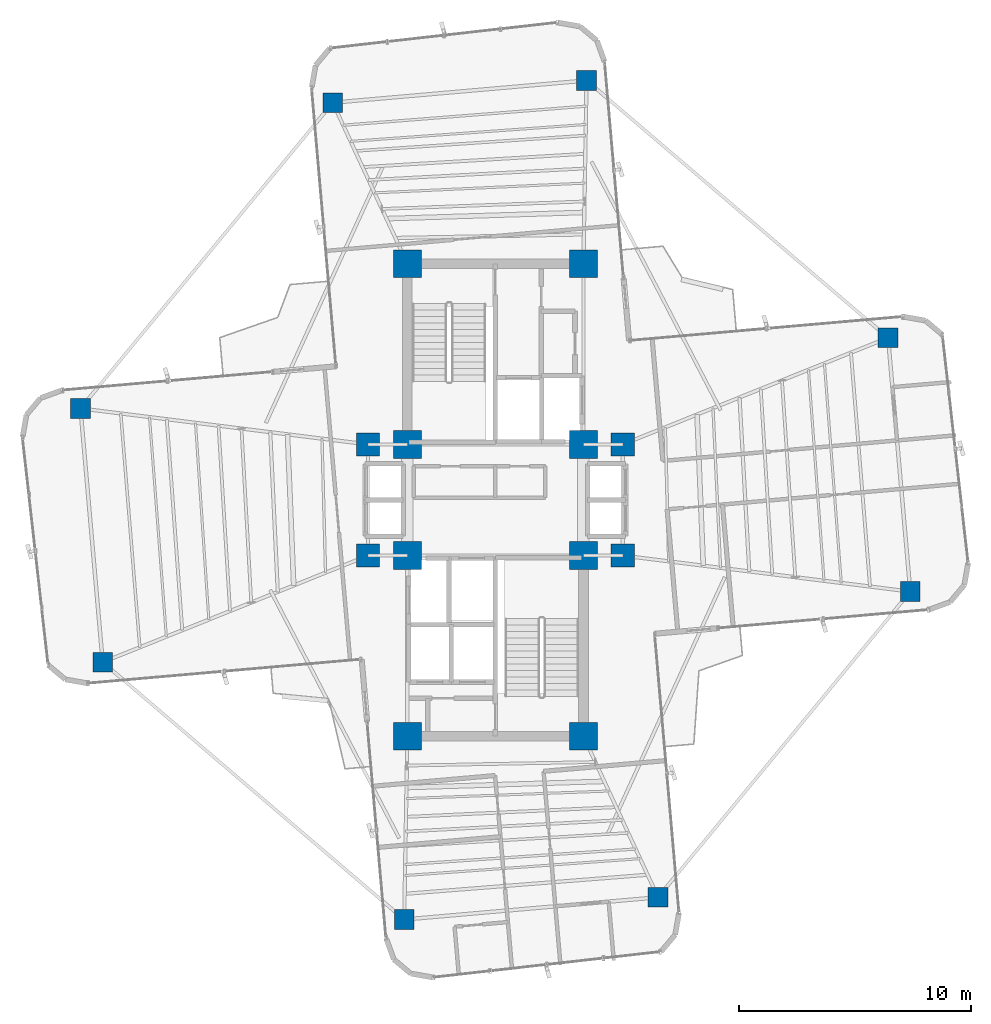
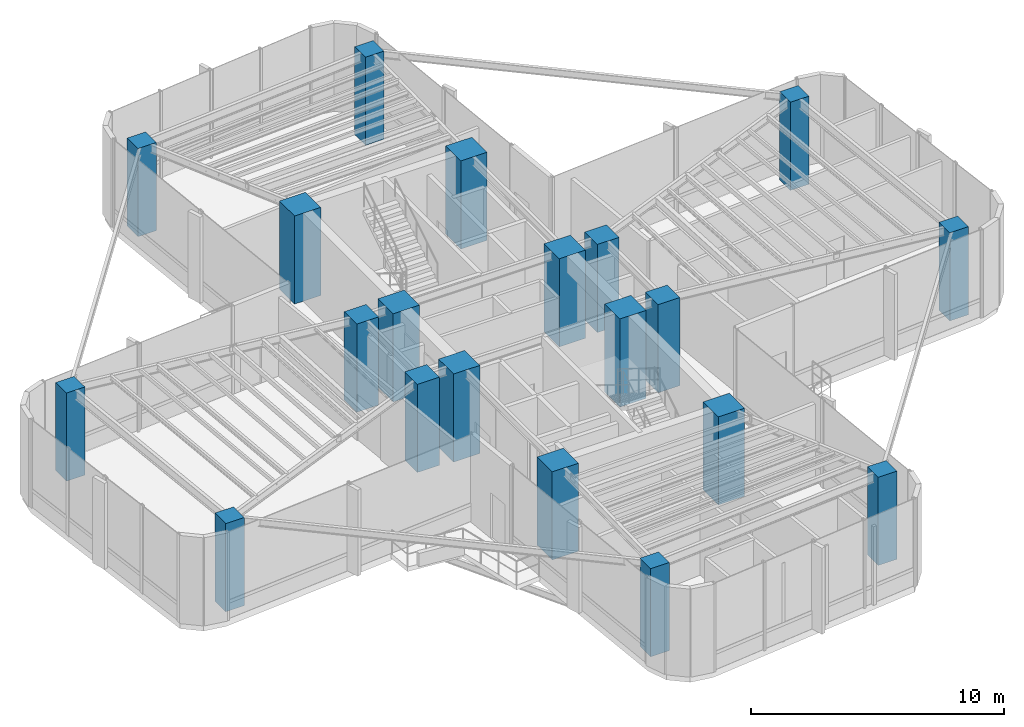
# One storey, part 1 of 19: 20 columns.
"""IFC4 building model written with IfcOpenShell, lengths in metres."""

from ifc_helpers import new_model, si_unit, direction, frame, origin, origin_2d, place, context, subcontext, project, spatial, rectangle, extrude, source, transform, mapped, material, material_profile, profile_set, type_object, element, save


model = new_model("IFC4")

# Units and contexts
model_context = context("Model", 3, precision=1e-05, world=origin(), true_north=direction((0.0, 1.0)))
body_context = subcontext(model_context, "Body", "Model", "MODEL_VIEW")
ifc_project = project(units=[si_unit("LENGTHUNIT", "METRE"), si_unit("AREAUNIT", "SQUARE_METRE"), si_unit("VOLUMEUNIT", "CUBIC_METRE"), si_unit("PLANEANGLEUNIT", "RADIAN"), si_unit("MASSUNIT", "GRAM", prefix="KILO")], contexts=[model_context])

# Site, building, storey
site_placement = place(None, origin())
site = spatial("IfcSite", under=ifc_project, at=site_placement, CompositionType="ELEMENT")
building_placement = place(site_placement, origin())
building = spatial("IfcBuilding", under=site, at=building_placement, Name="Sahyath Konkavel Grand Hotel", CompositionType="ELEMENT")
storey_placement = place(building_placement, frame((0.0, 0.0, 142.75)))
storey = spatial("IfcBuildingStorey", under=building, at=storey_placement, Name="L39", CompositionType="ELEMENT", Elevation=142.75)

# Columns
ifc_material_1 = material(Name="Concrete C50/60", Category="concrete")
ifc_material_profile_1 = material_profile(ifc_material_1, rectangle(XDim=1.199951171875, YDim=1.199951171875, at=origin_2d()), Name="RC 1200x1200")
ifc_profile_set_1 = profile_set([ifc_material_profile_1], Name="Concrete C50/60")
column_type_1 = type_object("IfcColumnType", Name="COL-RC1200", PredefinedType="COLUMN", material=ifc_profile_set_1)
shared_shape_1 = source(origin(), body_context, "Body", "SweptSolid", [
    extrude(rectangle(XDim=1.199951171875, YDim=1.199951171875, at=origin_2d()), origin(), (0.0, 0.0, 1.0), 4.260009765625),
])
for number, where, z_axis, x_axis, name in (
    (1, (-3.800048828125, 2.39990234375, 0.0), (0.0, 0.0, 1.0), (1.0, 0.0, 0.0), "L39 Core Boundary Column NC-SW"),
    (2, (3.800048828125, 2.39990234375, 0.0), (0.0, 0.0, 1.0), (1.0, 0.0, 0.0), "L39 Core Boundary Column NC-SE"),
    (3, (-3.800048828125, 10.199951171875, 0.0), (0.0, 0.0, 1.0), (1.0, 0.0, 0.0), "L39 Core Boundary Column NC-NW"),
    (4, (3.800048828125, 10.199951171875, 0.0), (0.0, 0.0, 1.0), (1.0, 0.0, 0.0), "L39 Core Boundary Column NC-NE"),
    (5, (-3.800048828125, -2.39990234375, 0.0), (0.0, 0.0, 1.0), (1.0, 0.0, 0.0), "L39 Core Boundary Column SC-NW"),
    (6, (3.800048828125, -2.39990234375, 0.0), (0.0, 0.0, 1.0), (1.0, 0.0, 0.0), "L39 Core Boundary Column SC-NE"),
    (7, (-3.800048828125, -10.199951171875, 0.0), (0.0, 0.0, 1.0), (1.0, 0.0, 0.0), "L39 Core Boundary Column SC-SW"),
    (8, (3.800048828125, -10.199951171875, 0.0), (0.0, 0.0, 1.0), (1.0, 0.0, 0.0), "L39 Core Boundary Column SC-SE"),
):
    element("IfcColumn", number, at=place(storey_placement, frame(where, z_axis=z_axis, x_axis=x_axis)), inside=storey, type_object=column_type_1, Name=name, PredefinedType="COLUMN", context=body_context, shape_type="MappedRepresentation", body=[
        mapped(shared_shape_1, transform((0.0, 0.0, 0.0), scale=1.0)),
    ])
ifc_material_profile_2 = material_profile(ifc_material_1, rectangle(XDim=1.0, YDim=1.0, at=origin_2d()), Name="RC 1000x1000")
ifc_profile_set_2 = profile_set([ifc_material_profile_2], Name="Concrete C50/60")
column_type_2 = type_object("IfcColumnType", Name="COL-RC1000", PredefinedType="COLUMN", material=ifc_profile_set_2)
shared_shape_2 = source(origin(), body_context, "Body", "SweptSolid", [
    extrude(rectangle(XDim=1.0, YDim=1.0, at=origin_2d()), origin(), (0.0, 0.0, 1.0), 4.260009765625),
])
for number, where, z_axis, x_axis, name in (
    (9, (5.5, 2.39990234375, 0.0), (0.0, 0.0, 1.0), (1.0, 0.0, 0.0), "L39 Central Spine Column HB-NE"),
    (10, (-5.5, 2.39990234375, 0.0), (0.0, 0.0, 1.0), (1.0, 0.0, 0.0), "L39 Central Spine Column HB-NW"),
    (11, (5.5, -2.39990234375, 0.0), (0.0, 0.0, 1.0), (1.0, 0.0, 0.0), "L39 Central Spine Column HB-SE"),
    (12, (-5.5, -2.39990234375, 0.0), (0.0, 0.0, 1.0), (1.0, 0.0, 0.0), "L39 Central Spine Column HB-SW"),
):
    element("IfcColumn", number, at=place(storey_placement, frame(where, z_axis=z_axis, x_axis=x_axis)), inside=storey, type_object=column_type_2, Name=name, PredefinedType="COLUMN", context=body_context, shape_type="MappedRepresentation", body=[
        mapped(shared_shape_2, transform((0.0, 0.0, 0.0), scale=1.0)),
    ])
ifc_material_2 = material(Name="Concrete C40/50", Category="concrete")
ifc_material_profile_3 = material_profile(ifc_material_2, rectangle(XDim=0.85009765625, YDim=0.85009765625, at=origin_2d()), Name="RC 850x850")
ifc_profile_set_3 = profile_set([ifc_material_profile_3], Name="Concrete C40/50")
column_type_3 = type_object("IfcColumnType", Name="COL-RC850", PredefinedType="COLUMN", material=ifc_profile_set_3)
shared_shape_3 = source(origin(), body_context, "Body", "SweptSolid", [
    extrude(rectangle(XDim=0.85009765625, YDim=0.85009765625, at=origin_2d()), origin(), (0.0, 0.0, 1.0), 4.260009765625),
])
for number, where, z_axis, x_axis, name in (
    (13, (17.912841796875, -3.953857421875, 0.0), (0.0, 0.0, 1.0), (1.0, 0.0, 0.0), "L39 Cruciform Wing Column WC-EA"),
    (14, (16.9541015625, 7.00439453125, 0.0), (0.0, 0.0, 1.0), (1.0, 0.0, 0.0), "L39 Cruciform Wing Column WC-EB"),
    (15, (3.936279296875, 18.112060546875, 0.0), (0.0, 0.0, 1.0), (1.0, 0.0, 0.0), "L39 Cruciform Wing Column WC-NA"),
    (16, (-7.021728515625, 17.1533203125, 0.0), (0.0, 0.0, 1.0), (1.0, 0.0, 0.0), "L39 Cruciform Wing Column WC-NB"),
    (17, (-17.912841796875, 3.953857421875, 0.0), (0.0, 0.0, 1.0), (1.0, 0.0, 0.0), "L39 Cruciform Wing Column WC-WA"),
    (18, (-16.9541015625, -7.00439453125, 0.0), (0.0, 0.0, 1.0), (1.0, 0.0, 0.0), "L39 Cruciform Wing Column WC-WB"),
    (19, (-3.936279296875, -18.112060546875, 0.0), (0.0, 0.0, 1.0), (1.0, 0.0, 0.0), "L39 Cruciform Wing Column WC-SA"),
    (20, (7.021728515625, -17.1533203125, 0.0), (0.0, 0.0, 1.0), (1.0, 0.0, 0.0), "L39 Cruciform Wing Column WC-SB"),
):
    element("IfcColumn", number, at=place(storey_placement, frame(where, z_axis=z_axis, x_axis=x_axis)), inside=storey, type_object=column_type_3, Name=name, PredefinedType="COLUMN", context=body_context, shape_type="MappedRepresentation", body=[
        mapped(shared_shape_3, transform((0.0, 0.0, 0.0), scale=1.0)),
    ])

save(model, "model.ifc")
